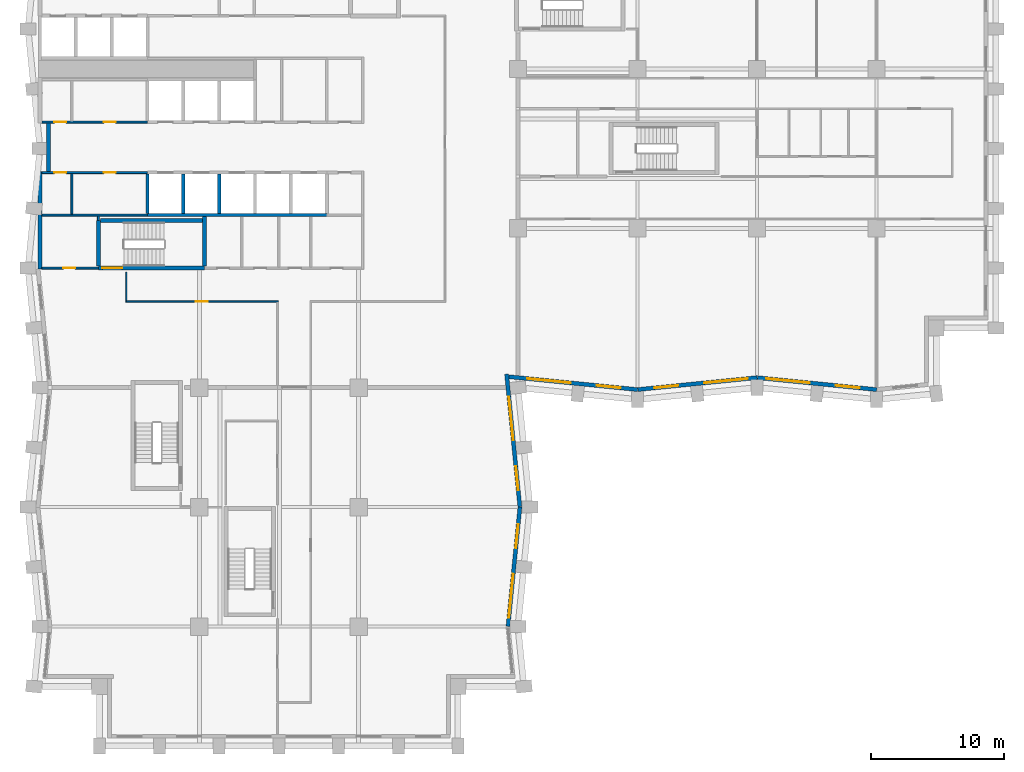
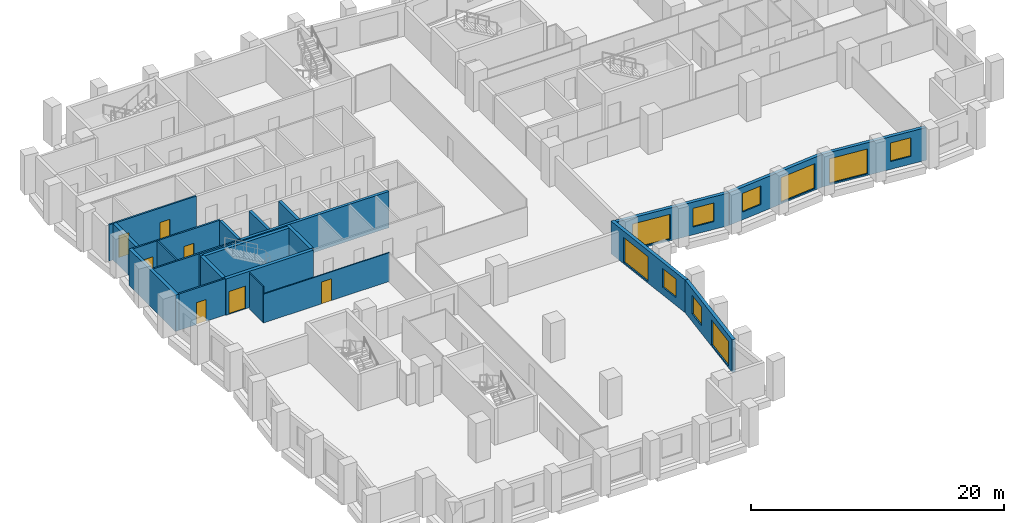
# One storey, part 4 of 11: 23 walls, 10 windows, 7 doors, 17 openings.
"""IFC4 building model written with IfcOpenShell, lengths in metres."""

from ifc_helpers import new_model, si_unit, direction, frame, frame_2d, origin, place, context, subcontext, project, spatial, rectangle, extrude, material, layer, layer_set, type_object, element, fill, save


model = new_model("IFC4")

# Units and contexts
model_context = context("Model", 3, precision=1e-05, world=origin(), true_north=direction((0.0, 1.0)))
body_context = subcontext(model_context, "Body", "Model", "MODEL_VIEW")
ifc_project = project(units=[si_unit("LENGTHUNIT", "METRE"), si_unit("AREAUNIT", "SQUARE_METRE"), si_unit("VOLUMEUNIT", "CUBIC_METRE"), si_unit("PLANEANGLEUNIT", "RADIAN"), si_unit("MASSUNIT", "GRAM", prefix="KILO")], contexts=[model_context])

# Site, building, storey
site_placement = place(None, origin())
site = spatial("IfcSite", under=ifc_project, at=site_placement, CompositionType="ELEMENT")
building_placement = place(site_placement, origin())
building = spatial("IfcBuilding", under=site, at=building_placement, Name="Brondeck Convention Tower", CompositionType="ELEMENT")
storey_placement = place(building_placement, frame((0.0, 0.0, 115.10009765625)))
storey = spatial("IfcBuildingStorey", under=building, at=storey_placement, Name="L27", CompositionType="ELEMENT", Elevation=115.10009765625)

# Walls
ifc_material_1 = material(Name="Concrete C70/85", Category="concrete")
ifc_layer_1 = layer(ifc_material_1, 0.300048828125)
ifc_layer_set_1 = layer_set([ifc_layer_1], Name="Core outer wall 300 Concrete C70/85")
wall_type_1 = type_object("IfcWallType", Name="Core outer wall 300 Concrete C70/85", PredefinedType="SHEAR", material=ifc_layer_set_1)
wall_1_placement = place(storey_placement, frame((0.0, 35.925048828125, 0.0), z_axis=(0.0, 0.0, 1.0), x_axis=(0.0, 1.0, 0.0)))
element("IfcWall", 1, at=wall_1_placement, inside=storey, type_object=wall_type_1, Name="L27 core wall", PredefinedType="SHEAR", context=body_context, shape_type="SweptSolid", body=[
    extrude(rectangle(XDim=7.349853515625, YDim=0.300048828125, at=frame_2d((3.6748046875, 0.0))), origin(), (0.0, 0.0, 1.0), 3.5),
])
wall_2_placement = place(storey_placement, frame((0.64990234375, 43.27490234375, 0.0), z_axis=(0.0, 0.0, 1.0), x_axis=(0.0, 1.0, 0.0)))
element("IfcWall", 2, at=wall_2_placement, inside=storey, type_object=wall_type_1, Name="L27 core wall", PredefinedType="SHEAR", context=body_context, shape_type="SweptSolid", body=[
    extrude(rectangle(XDim=3.650146484375, YDim=0.300048828125, at=frame_2d((1.8251953125, 0.0))), origin(), (0.0, 0.0, 1.0), 3.5),
])

# Wall, opening, door
ifc_material_2 = material(Name="Fire-rated gypsum board partition")
ifc_layer_2 = layer(ifc_material_2, 0.14990234375)
ifc_layer_set_2 = layer_set([ifc_layer_2], Name="Core partition 150 EI 60")
wall_type_2 = type_object("IfcWallType", Name="Core partition 150 EI 60", PredefinedType="PARTITIONING", material=ifc_layer_set_2)
wall_3_placement = place(storey_placement, frame((0.14990234375, 36.0, 0.0), z_axis=(0.0, 0.0, 1.0), x_axis=(1.0, 0.0, 0.0)))
wall_3 = element("IfcWall", 3, at=wall_3_placement, inside=storey, type_object=wall_type_2, Name="L27 core wall", PredefinedType="PARTITIONING", context=body_context, shape_type="SweptSolid", body=[
    extrude(rectangle(XDim=4.25, YDim=0.14990234375, at=frame_2d((2.125, 0.0))), origin(), (0.0, 0.0, 1.0), 3.5),
])
opening_1_placement = place(wall_3_placement, frame((1.60009765625, 0.0, 0.0)))
opening_1 = element("IfcOpeningElement", 4, at=opening_1_placement, cuts=wall_3, Name="Opening C16-07", PredefinedType="OPENING", context=body_context, shape_type="SweptSolid", body=[
    extrude(rectangle(XDim=0.89990234375, YDim=2.10009765625, at=frame_2d((0.449951171875, 1.050048828125))), frame((0.0, 0.0849609375, 0.0), z_axis=(0.0, -1.0, 0.0), x_axis=(1.0, 0.0, 0.0)), (0.0, 0.0, 1.0), 0.169921875),
])
ifc_material_3 = material(Name="Steel fire door", Category="steel")
door_type_1 = type_object("IfcDoorType", Name="Room door 900x2100 EI 60", OperationType="NOTDEFINED", PredefinedType="DOOR", material=ifc_material_3)
door_1_placement = place(opening_1_placement, origin())
door_1 = element("IfcDoor", 5, at=door_1_placement, inside=storey, type_object=door_type_1, Name="L27 Room door FRW-1", OperationType="SINGLE_SWING_LEFT", OverallHeight=2.10009765625, OverallWidth=0.89990234375, PredefinedType="DOOR", context=body_context, shape_type="SweptSolid", body=[
    extrude(rectangle(XDim=0.89990234375, YDim=2.10009765625, at=frame_2d((0.449951171875, 1.050048828125))), frame((0.0, 0.02490234375, 0.0), z_axis=(0.0, -1.0, 0.0), x_axis=(1.0, 0.0, 0.0)), (0.0, 0.0, 1.0), 0.050048828125),
])
fill(opening_1, door_1)

# Wall
wall_4_placement = place(storey_placement, frame((0.14990234375, 40.0, 0.0), z_axis=(0.0, 0.0, 1.0), x_axis=(1.0, 0.0, 0.0)))
element("IfcWall", 6, at=wall_4_placement, inside=storey, type_object=wall_type_2, Name="L27 core wall", PredefinedType="PARTITIONING", context=body_context, shape_type="SweptSolid", body=[
    extrude(rectangle(XDim=7.9501953125, YDim=0.14990234375, at=frame_2d((3.97509765625, 0.0))), origin(), (0.0, 0.0, 1.0), 3.5),
])

# Wall, openings, doors
wall_5_placement = place(storey_placement, frame((0.14990234375, 43.199951171875, 0.0), z_axis=(0.0, 0.0, 1.0), x_axis=(1.0, 0.0, 0.0)))
wall_5 = element("IfcWall", 7, at=wall_5_placement, inside=storey, type_object=wall_type_2, Name="L27 core wall", PredefinedType="PARTITIONING", context=body_context, shape_type="SweptSolid", body=[
    extrude(rectangle(XDim=7.9501953125, YDim=0.14990234375, at=frame_2d((3.97509765625, 0.0))), origin(), (0.0, 0.0, 1.0), 3.5),
])
opening_2_placement = place(wall_5_placement, frame((0.925048828125, 0.0, 0.0)))
opening_2 = element("IfcOpeningElement", 8, at=opening_2_placement, cuts=wall_5, Name="Opening C16-12", PredefinedType="OPENING", context=body_context, shape_type="SweptSolid", body=[
    extrude(rectangle(XDim=0.89990234375, YDim=2.10009765625, at=frame_2d((0.449951171875, 1.050048828125))), frame((0.0, 0.0849609375, 0.0), z_axis=(0.0, -1.0, 0.0), x_axis=(1.0, 0.0, 0.0)), (0.0, 0.0, 1.0), 0.169921875),
])
opening_3_placement = place(wall_5_placement, frame((4.64990234375, 0.0, 0.0)))
opening_3 = element("IfcOpeningElement", 9, at=opening_3_placement, cuts=wall_5, Name="Opening C16-13", PredefinedType="OPENING", context=body_context, shape_type="SweptSolid", body=[
    extrude(rectangle(XDim=0.89990234375, YDim=2.10009765625, at=frame_2d((0.449951171875, 1.050048828125))), frame((0.0, 0.0849609375, 0.0), z_axis=(0.0, -1.0, 0.0), x_axis=(1.0, 0.0, 0.0)), (0.0, 0.0, 1.0), 0.169921875),
])
door_2_placement = place(opening_2_placement, origin())
door_2 = element("IfcDoor", 10, at=door_2_placement, inside=storey, type_object=door_type_1, Name="L27 Room door FZ-S-0-1", OperationType="SINGLE_SWING_LEFT", OverallHeight=2.10009765625, OverallWidth=0.89990234375, PredefinedType="DOOR", context=body_context, shape_type="SweptSolid", body=[
    extrude(rectangle(XDim=0.89990234375, YDim=2.10009765625, at=frame_2d((0.449951171875, 1.050048828125))), frame((0.0, 0.02490234375, 0.0), z_axis=(0.0, -1.0, 0.0), x_axis=(1.0, 0.0, 0.0)), (0.0, 0.0, 1.0), 0.050048828125),
])
fill(opening_2, door_2)
door_3_placement = place(opening_3_placement, origin())
door_3 = element("IfcDoor", 11, at=door_3_placement, inside=storey, type_object=door_type_1, Name="L27 Room door FZ-S-0-2", OperationType="SINGLE_SWING_RIGHT", OverallHeight=2.10009765625, OverallWidth=0.89990234375, PredefinedType="DOOR", context=body_context, shape_type="SweptSolid", body=[
    extrude(rectangle(XDim=0.89990234375, YDim=2.10009765625, at=frame_2d((0.449951171875, 1.050048828125))), frame((0.0, 0.02490234375, 0.0), z_axis=(0.0, -1.0, 0.0), x_axis=(1.0, 0.0, 0.0)), (0.0, 0.0, 1.0), 0.050048828125),
])
fill(opening_3, door_3)

wall_6_placement = place(storey_placement, frame((0.14990234375, 47.0, 0.0), z_axis=(0.0, 0.0, 1.0), x_axis=(1.0, 0.0, 0.0)))
wall_6 = element("IfcWall", 12, at=wall_6_placement, inside=storey, type_object=wall_type_2, Name="L27 core wall", PredefinedType="PARTITIONING", context=body_context, shape_type="SweptSolid", body=[
    extrude(rectangle(XDim=7.9501953125, YDim=0.14990234375, at=frame_2d((3.97509765625, 0.0))), origin(), (0.0, 0.0, 1.0), 3.5),
])
opening_4_placement = place(wall_6_placement, frame((0.925048828125, 0.0, 0.0)))
opening_4 = element("IfcOpeningElement", 13, at=opening_4_placement, cuts=wall_6, Name="Opening C16-08", PredefinedType="OPENING", context=body_context, shape_type="SweptSolid", body=[
    extrude(rectangle(XDim=0.89990234375, YDim=2.10009765625, at=frame_2d((0.449951171875, 1.050048828125))), frame((0.0, 0.0849609375, 0.0), z_axis=(0.0, -1.0, 0.0), x_axis=(1.0, 0.0, 0.0)), (0.0, 0.0, 1.0), 0.169921875),
])
opening_5_placement = place(wall_6_placement, frame((4.64990234375, 0.0, 0.0)))
opening_5 = element("IfcOpeningElement", 14, at=opening_5_placement, cuts=wall_6, Name="Opening C16-09", PredefinedType="OPENING", context=body_context, shape_type="SweptSolid", body=[
    extrude(rectangle(XDim=0.89990234375, YDim=2.10009765625, at=frame_2d((0.449951171875, 1.050048828125))), frame((0.0, 0.0849609375, 0.0), z_axis=(0.0, -1.0, 0.0), x_axis=(1.0, 0.0, 0.0)), (0.0, 0.0, 1.0), 0.169921875),
])
door_4_placement = place(opening_4_placement, origin())
door_4 = element("IfcDoor", 15, at=door_4_placement, inside=storey, type_object=door_type_1, Name="L27 Room door FZ-N-0-1", OperationType="SINGLE_SWING_RIGHT", OverallHeight=2.10009765625, OverallWidth=0.89990234375, PredefinedType="DOOR", context=body_context, shape_type="SweptSolid", body=[
    extrude(rectangle(XDim=0.89990234375, YDim=2.10009765625, at=frame_2d((0.449951171875, 1.050048828125))), frame((0.0, 0.02490234375, 0.0), z_axis=(0.0, -1.0, 0.0), x_axis=(1.0, 0.0, 0.0)), (0.0, 0.0, 1.0), 0.050048828125),
])
fill(opening_4, door_4)
door_5_placement = place(opening_5_placement, origin())
door_5 = element("IfcDoor", 16, at=door_5_placement, inside=storey, type_object=door_type_1, Name="L27 Room door FZ-N-0-2", OperationType="SINGLE_SWING_LEFT", OverallHeight=2.10009765625, OverallWidth=0.89990234375, PredefinedType="DOOR", context=body_context, shape_type="SweptSolid", body=[
    extrude(rectangle(XDim=0.89990234375, YDim=2.10009765625, at=frame_2d((0.449951171875, 1.050048828125))), frame((0.0, 0.02490234375, 0.0), z_axis=(0.0, -1.0, 0.0), x_axis=(1.0, 0.0, 0.0)), (0.0, 0.0, 1.0), 0.050048828125),
])
fill(opening_5, door_5)

# Walls
wall_7_placement = place(storey_placement, frame((2.39990234375, 40.074951171875, 0.0), z_axis=(0.0, 0.0, 1.0), x_axis=(0.0, 1.0, 0.0)))
element("IfcWall", 17, at=wall_7_placement, inside=storey, type_object=wall_type_2, Name="L27 core wall", PredefinedType="PARTITIONING", context=body_context, shape_type="SweptSolid", body=[
    extrude(rectangle(XDim=3.050048828125, YDim=0.14990234375, at=frame_2d((1.52490234375, 0.0))), origin(), (0.0, 0.0, 1.0), 3.5),
])
wall_8_placement = place(storey_placement, frame((4.39990234375, 39.60009765625, 0.0), z_axis=(0.0, 0.0, 1.0), x_axis=(0.0, 1.0, 0.0)))
element("IfcWall", 18, at=wall_8_placement, inside=storey, type_object=wall_type_2, Name="L27 core wall", PredefinedType="PARTITIONING", context=body_context, shape_type="SweptSolid", body=[
    extrude(rectangle(XDim=0.324951171875, YDim=0.14990234375, at=frame_2d((0.16259765625, 0.0))), origin(), (0.0, 0.0, 1.0), 3.5),
])

# Wall, openings, windows
ifc_material_4 = material(Name="Precast concrete C50/60 bronze finish", Category="concrete")
ifc_layer_3 = layer(ifc_material_4, 0.070068359375, Name="Bronze precast facing")
ifc_material_5 = material(Name="Mineral wool")
ifc_layer_4 = layer(ifc_material_5, 0.159912109375, Name="Insulation")
ifc_material_6 = material(Name="Concrete C35/45", Category="concrete")
ifc_layer_5 = layer(ifc_material_6, 0.070068359375, Name="Backing")
ifc_layer_set_3 = layer_set([ifc_layer_3, ifc_layer_4, ifc_layer_5], Name="External infill wall, precast concrete C50/60 bronze facing")
wall_type_3 = type_object("IfcWallType", Name="External infill wall, precast concrete C50/60 bronze facing", PredefinedType="SOLIDWALL", material=ifc_layer_set_3)
wall_9_placement = place(storey_placement, frame((36.147705078125, 18.014892578125, 0.0), z_axis=(0.0, 0.0, 1.0), x_axis=(-0.099495688264, -0.995037993253, 0.0)))
wall_9 = element("IfcWall", 19, at=wall_9_placement, inside=storey, type_object=wall_type_3, Name="ENV-EW-L27-P0-B-E-03", PredefinedType="SOLIDWALL", context=body_context, shape_type="SweptSolid", body=[
    extrude(rectangle(XDim=9.030029296875, YDim=0.300048828125, at=frame_2d((4.51513671875, 0.0))), origin(), (0.0, 0.0, 1.0), 3.14990234375),
])
opening_6_placement = place(wall_9_placement, frame((1.30126953125, 0.0, 0.75)))
opening_6 = element("IfcOpeningElement", 20, at=opening_6_placement, cuts=wall_9, Name="Opening W10", PredefinedType="OPENING", context=body_context, shape_type="SweptSolid", body=[
    extrude(rectangle(XDim=1.800048828125, YDim=1.800048828125, at=frame_2d((0.89990234375, 0.89990234375))), frame((0.0, 0.159912109375, 0.0), z_axis=(0.0, -1.0, 0.0), x_axis=(1.0, 0.0, 0.0)), (0.0, 0.0, 1.0), 0.320068359375),
])
opening_7_placement = place(wall_9_placement, frame((5.073486328125, 0.0, 0.14990234375)))
opening_7 = element("IfcOpeningElement", 21, at=opening_7_placement, cuts=wall_9, Name="Opening W9", PredefinedType="OPENING", context=body_context, shape_type="SweptSolid", body=[
    extrude(rectangle(XDim=3.300048828125, YDim=2.39990234375, at=frame_2d((1.64990234375, 1.199951171875))), frame((0.0, 0.159912109375, 0.0), z_axis=(0.0, -1.0, 0.0), x_axis=(1.0, 0.0, 0.0)), (0.0, 0.0, 1.0), 0.320068359375),
])
ifc_material_7 = material(Name="Bronze tinted double glazing", Category="glass")
window_type_1 = type_object("IfcWindowType", Name="Glazed flute window, bronze tinted", PartitioningType="SINGLE_PANEL", PredefinedType="WINDOW", material=ifc_material_7)
window_1_placement = place(opening_7_placement, origin())
window_1 = element("IfcWindow", 22, at=window_1_placement, inside=storey, type_object=window_type_1, Name="ENV-WN-L27-P0-B-E-03", OverallHeight=2.39990234375, OverallWidth=3.300048828125, PartitioningType="SINGLE_PANEL", PredefinedType="WINDOW", context=body_context, shape_type="SweptSolid", body=[
    extrude(rectangle(XDim=3.300048828125, YDim=2.39990234375, at=frame_2d((1.64990234375, 1.199951171875))), frame((0.0, 0.030029296875, 0.0), z_axis=(0.0, -1.0, 0.0), x_axis=(1.0, 0.0, 0.0)), (0.0, 0.0, 1.0), 0.06005859375),
])
fill(opening_7, window_1)
window_type_2 = type_object("IfcWindowType", Name="Punched window, bronze tinted", PartitioningType="SINGLE_PANEL", PredefinedType="WINDOW", material=ifc_material_7)
window_2_placement = place(opening_6_placement, origin())
window_2 = element("IfcWindow", 23, at=window_2_placement, inside=storey, type_object=window_type_2, Name="ENV-WN-L27-P0-B-E-02", OverallHeight=1.800048828125, OverallWidth=1.800048828125, PartitioningType="SINGLE_PANEL", PredefinedType="WINDOW", context=body_context, shape_type="SweptSolid", body=[
    extrude(rectangle(XDim=1.800048828125, YDim=1.800048828125, at=frame_2d((0.89990234375, 0.89990234375))), frame((0.0, 0.030029296875, 0.0), z_axis=(0.0, -1.0, 0.0), x_axis=(1.0, 0.0, 0.0)), (0.0, 0.0, 1.0), 0.06005859375),
])
fill(opening_6, window_2)

wall_10_placement = place(storey_placement, frame((35.144287109375, 28.02001953125, 0.0), z_axis=(0.0, 0.0, 1.0), x_axis=(0.099503719021, -0.99503719021, 0.0)))
wall_10 = element("IfcWall", 24, at=wall_10_placement, inside=storey, type_object=wall_type_3, Name="ENV-EW-L27-P0-B-E-01", PredefinedType="SOLIDWALL", context=body_context, shape_type="SweptSolid", body=[
    extrude(rectangle(XDim=10.0400390625, YDim=0.300048828125, at=frame_2d((5.02001953125, 0.0))), origin(), (0.0, 0.0, 1.0), 3.14990234375),
])
opening_8_placement = place(wall_10_placement, frame((1.711181640625, 0.0, 0.14990234375)))
opening_8 = element("IfcOpeningElement", 25, at=opening_8_placement, cuts=wall_10, Name="Opening W9", PredefinedType="OPENING", context=body_context, shape_type="SweptSolid", body=[
    extrude(rectangle(XDim=3.300048828125, YDim=2.39990234375, at=frame_2d((1.64990234375, 1.199951171875))), frame((0.0, 0.159912109375, 0.0), z_axis=(0.0, -1.0, 0.0), x_axis=(1.0, 0.0, 0.0)), (0.0, 0.0, 1.0), 0.320068359375),
])
opening_9_placement = place(wall_10_placement, frame((6.983642578125, 0.0, 0.75)))
opening_9 = element("IfcOpeningElement", 26, at=opening_9_placement, cuts=wall_10, Name="Opening W10", PredefinedType="OPENING", context=body_context, shape_type="SweptSolid", body=[
    extrude(rectangle(XDim=1.800048828125, YDim=1.800048828125, at=frame_2d((0.89990234375, 0.89990234375))), frame((0.0, 0.159912109375, 0.0), z_axis=(0.0, -1.0, 0.0), x_axis=(1.0, 0.0, 0.0)), (0.0, 0.0, 1.0), 0.320068359375),
])
window_3_placement = place(opening_8_placement, origin())
window_3 = element("IfcWindow", 27, at=window_3_placement, inside=storey, type_object=window_type_1, Name="ENV-WN-L27-P0-B-E-00", OverallHeight=2.39990234375, OverallWidth=3.300048828125, PartitioningType="SINGLE_PANEL", PredefinedType="WINDOW", context=body_context, shape_type="SweptSolid", body=[
    extrude(rectangle(XDim=3.300048828125, YDim=2.39990234375, at=frame_2d((1.64990234375, 1.199951171875))), frame((0.0, 0.030029296875, 0.0), z_axis=(0.0, -1.0, 0.0), x_axis=(1.0, 0.0, 0.0)), (0.0, 0.0, 1.0), 0.06005859375),
])
fill(opening_8, window_3)
window_4_placement = place(opening_9_placement, origin())
window_4 = element("IfcWindow", 28, at=window_4_placement, inside=storey, type_object=window_type_2, Name="ENV-WN-L27-P0-B-E-01", OverallHeight=1.800048828125, OverallWidth=1.800048828125, PartitioningType="SINGLE_PANEL", PredefinedType="WINDOW", context=body_context, shape_type="SweptSolid", body=[
    extrude(rectangle(XDim=1.800048828125, YDim=1.800048828125, at=frame_2d((0.89990234375, 0.89990234375))), frame((0.0, 0.030029296875, 0.0), z_axis=(0.0, -1.0, 0.0), x_axis=(1.0, 0.0, 0.0)), (0.0, 0.0, 1.0), 0.06005859375),
])
fill(opening_9, window_4)

wall_11_placement = place(storey_placement, frame((45.014892578125, 26.852294921875, 0.0), z_axis=(0.0, 0.0, 1.0), x_axis=(-0.995037438546, 0.099501235631, 0.0)))
wall_11 = element("IfcWall", 29, at=wall_11_placement, inside=storey, type_object=wall_type_3, Name="ENV-EW-L27-P0-A-S-00", PredefinedType="SOLIDWALL", context=body_context, shape_type="SweptSolid", body=[
    extrude(rectangle(XDim=9.733642578125, YDim=0.300048828125, at=frame_2d((4.86669921875, 0.0))), origin(), (0.0, 0.0, 1.0), 3.14990234375),
])
opening_10_placement = place(wall_11_placement, frame((1.30126953125, 0.0, 0.75)))
opening_10 = element("IfcOpeningElement", 30, at=opening_10_placement, cuts=wall_11, Name="Opening W10", PredefinedType="OPENING", context=body_context, shape_type="SweptSolid", body=[
    extrude(rectangle(XDim=1.800048828125, YDim=1.800048828125, at=frame_2d((0.89990234375, 0.89990234375))), frame((0.0, 0.159912109375, 0.0), z_axis=(0.0, -1.0, 0.0), x_axis=(1.0, 0.0, 0.0)), (0.0, 0.0, 1.0), 0.320068359375),
])
opening_11_placement = place(wall_11_placement, frame((5.073486328125, 0.0, 0.14990234375)))
opening_11 = element("IfcOpeningElement", 31, at=opening_11_placement, cuts=wall_11, Name="Opening W9", PredefinedType="OPENING", context=body_context, shape_type="SweptSolid", body=[
    extrude(rectangle(XDim=3.300048828125, YDim=2.39990234375, at=frame_2d((1.64990234375, 1.199951171875))), frame((0.0, 0.159912109375, 0.0), z_axis=(0.0, -1.0, 0.0), x_axis=(1.0, 0.0, 0.0)), (0.0, 0.0, 1.0), 0.320068359375),
])
window_5_placement = place(opening_11_placement, origin())
window_5 = element("IfcWindow", 32, at=window_5_placement, inside=storey, type_object=window_type_1, Name="ENV-WN-L27-P0-A-S-00", OverallHeight=2.39990234375, OverallWidth=3.300048828125, PartitioningType="SINGLE_PANEL", PredefinedType="WINDOW", context=body_context, shape_type="SweptSolid", body=[
    extrude(rectangle(XDim=3.300048828125, YDim=2.39990234375, at=frame_2d((1.64990234375, 1.199951171875))), frame((0.0, 0.030029296875, 0.0), z_axis=(0.0, -1.0, 0.0), x_axis=(1.0, 0.0, 0.0)), (0.0, 0.0, 1.0), 0.06005859375),
])
fill(opening_11, window_5)
window_6_placement = place(opening_10_placement, origin())
window_6 = element("IfcWindow", 33, at=window_6_placement, inside=storey, type_object=window_type_2, Name="ENV-WN-L27-P0-A-S-01", OverallHeight=1.800048828125, OverallWidth=1.800048828125, PartitioningType="SINGLE_PANEL", PredefinedType="WINDOW", context=body_context, shape_type="SweptSolid", body=[
    extrude(rectangle(XDim=1.800048828125, YDim=1.800048828125, at=frame_2d((0.89990234375, 0.89990234375))), frame((0.0, 0.030029296875, 0.0), z_axis=(0.0, -1.0, 0.0), x_axis=(1.0, 0.0, 0.0)), (0.0, 0.0, 1.0), 0.06005859375),
])
fill(opening_10, window_6)

wall_12_placement = place(storey_placement, frame((54.014892578125, 27.755126953125, 0.0), z_axis=(0.0, 0.0, 1.0), x_axis=(-0.995037993253, -0.099495688264, 0.0)))
wall_12 = element("IfcWall", 34, at=wall_12_placement, inside=storey, type_object=wall_type_3, Name="ENV-EW-L27-P0-A-S-02", PredefinedType="SOLIDWALL", context=body_context, shape_type="SweptSolid", body=[
    extrude(rectangle(XDim=9.030029296875, YDim=0.300048828125, at=frame_2d((4.51513671875, 0.0))), origin(), (0.0, 0.0, 1.0), 3.14990234375),
])
opening_12_placement = place(wall_12_placement, frame((0.701171875, 0.0, 0.14990234375)))
opening_12 = element("IfcOpeningElement", 35, at=opening_12_placement, cuts=wall_12, Name="Opening W9", PredefinedType="OPENING", context=body_context, shape_type="SweptSolid", body=[
    extrude(rectangle(XDim=3.300048828125, YDim=2.39990234375, at=frame_2d((1.64990234375, 1.199951171875))), frame((0.0, 0.159912109375, 0.0), z_axis=(0.0, -1.0, 0.0), x_axis=(1.0, 0.0, 0.0)), (0.0, 0.0, 1.0), 0.320068359375),
])
opening_13_placement = place(wall_12_placement, frame((5.9736328125, 0.0, 0.75)))
opening_13 = element("IfcOpeningElement", 36, at=opening_13_placement, cuts=wall_12, Name="Opening W10", PredefinedType="OPENING", context=body_context, shape_type="SweptSolid", body=[
    extrude(rectangle(XDim=1.800048828125, YDim=1.800048828125, at=frame_2d((0.89990234375, 0.89990234375))), frame((0.0, 0.159912109375, 0.0), z_axis=(0.0, -1.0, 0.0), x_axis=(1.0, 0.0, 0.0)), (0.0, 0.0, 1.0), 0.320068359375),
])
window_7_placement = place(opening_12_placement, origin())
window_7 = element("IfcWindow", 37, at=window_7_placement, inside=storey, type_object=window_type_1, Name="ENV-WN-L27-P0-A-S-03", OverallHeight=2.39990234375, OverallWidth=3.300048828125, PartitioningType="SINGLE_PANEL", PredefinedType="WINDOW", context=body_context, shape_type="SweptSolid", body=[
    extrude(rectangle(XDim=3.300048828125, YDim=2.39990234375, at=frame_2d((1.64990234375, 1.199951171875))), frame((0.0, 0.030029296875, 0.0), z_axis=(0.0, -1.0, 0.0), x_axis=(1.0, 0.0, 0.0)), (0.0, 0.0, 1.0), 0.06005859375),
])
fill(opening_12, window_7)
window_8_placement = place(opening_13_placement, origin())
window_8 = element("IfcWindow", 38, at=window_8_placement, inside=storey, type_object=window_type_2, Name="ENV-WN-L27-P0-A-S-02", OverallHeight=1.800048828125, OverallWidth=1.800048828125, PartitioningType="SINGLE_PANEL", PredefinedType="WINDOW", context=body_context, shape_type="SweptSolid", body=[
    extrude(rectangle(XDim=1.800048828125, YDim=1.800048828125, at=frame_2d((0.89990234375, 0.89990234375))), frame((0.0, 0.030029296875, 0.0), z_axis=(0.0, -1.0, 0.0), x_axis=(1.0, 0.0, 0.0)), (0.0, 0.0, 1.0), 0.06005859375),
])
fill(opening_13, window_8)

wall_13_placement = place(storey_placement, frame((63.014892578125, 26.852294921875, 0.0), z_axis=(0.0, 0.0, 1.0), x_axis=(-0.995037993253, 0.099495688264, 0.0)))
wall_13 = element("IfcWall", 39, at=wall_13_placement, inside=storey, type_object=wall_type_3, Name="ENV-EW-L27-P0-A-S-04", PredefinedType="SOLIDWALL", context=body_context, shape_type="SweptSolid", body=[
    extrude(rectangle(XDim=9.030029296875, YDim=0.300048828125, at=frame_2d((4.51513671875, 0.0))), origin(), (0.0, 0.0, 1.0), 3.14990234375),
])
opening_14_placement = place(wall_13_placement, frame((1.30126953125, 0.0, 0.75)))
opening_14 = element("IfcOpeningElement", 40, at=opening_14_placement, cuts=wall_13, Name="Opening W10", PredefinedType="OPENING", context=body_context, shape_type="SweptSolid", body=[
    extrude(rectangle(XDim=1.800048828125, YDim=1.800048828125, at=frame_2d((0.89990234375, 0.89990234375))), frame((0.0, 0.159912109375, 0.0), z_axis=(0.0, -1.0, 0.0), x_axis=(1.0, 0.0, 0.0)), (0.0, 0.0, 1.0), 0.320068359375),
])
opening_15_placement = place(wall_13_placement, frame((5.073486328125, 0.0, 0.14990234375)))
opening_15 = element("IfcOpeningElement", 41, at=opening_15_placement, cuts=wall_13, Name="Opening W9", PredefinedType="OPENING", context=body_context, shape_type="SweptSolid", body=[
    extrude(rectangle(XDim=3.300048828125, YDim=2.39990234375, at=frame_2d((1.64990234375, 1.199951171875))), frame((0.0, 0.159912109375, 0.0), z_axis=(0.0, -1.0, 0.0), x_axis=(1.0, 0.0, 0.0)), (0.0, 0.0, 1.0), 0.320068359375),
])
window_9_placement = place(opening_15_placement, origin())
window_9 = element("IfcWindow", 42, at=window_9_placement, inside=storey, type_object=window_type_1, Name="ENV-WN-L27-P0-A-S-04", OverallHeight=2.39990234375, OverallWidth=3.300048828125, PartitioningType="SINGLE_PANEL", PredefinedType="WINDOW", context=body_context, shape_type="SweptSolid", body=[
    extrude(rectangle(XDim=3.300048828125, YDim=2.39990234375, at=frame_2d((1.64990234375, 1.199951171875))), frame((0.0, 0.030029296875, 0.0), z_axis=(0.0, -1.0, 0.0), x_axis=(1.0, 0.0, 0.0)), (0.0, 0.0, 1.0), 0.06005859375),
])
fill(opening_15, window_9)
window_10_placement = place(opening_14_placement, origin())
window_10 = element("IfcWindow", 43, at=window_10_placement, inside=storey, type_object=window_type_2, Name="ENV-WN-L27-P0-A-S-05", OverallHeight=1.800048828125, OverallWidth=1.800048828125, PartitioningType="SINGLE_PANEL", PredefinedType="WINDOW", context=body_context, shape_type="SweptSolid", body=[
    extrude(rectangle(XDim=1.800048828125, YDim=1.800048828125, at=frame_2d((0.89990234375, 0.89990234375))), frame((0.0, 0.030029296875, 0.0), z_axis=(0.0, -1.0, 0.0), x_axis=(1.0, 0.0, 0.0)), (0.0, 0.0, 1.0), 0.06005859375),
])
fill(opening_14, window_10)

# Walls
ifc_layer_6 = layer(ifc_material_1, 0.25)
ifc_layer_set_4 = layer_set([ifc_layer_6], Name="Lift shaft wall 250 Concrete C70/85")
wall_type_4 = type_object("IfcWallType", Name="Lift shaft wall 250 Concrete C70/85", PredefinedType="SHEAR", material=ifc_layer_set_4)
wall_14_placement = place(storey_placement, frame((8.10009765625, 40.0, 0.0), z_axis=(0.0, 0.0, 1.0), x_axis=(1.0, 0.0, 0.0)))
element("IfcWall", 44, at=wall_14_placement, inside=storey, type_object=wall_type_4, Name="L27 core wall", PredefinedType="SHEAR", context=body_context, shape_type="SweptSolid", body=[
    extrude(rectangle(XDim=13.5, YDim=0.25, at=frame_2d((6.75, 0.0))), origin(), (0.0, 0.0, 1.0), 3.5),
])
for number, where, z_axis, x_axis, name in (
    (45, (8.10009765625, 40.125, 0.0), (0.0, 0.0, 1.0), (0.0, 1.0, 0.0), "L27 core wall"),
    (46, (10.800048828125, 40.125, 0.0), (0.0, 0.0, 1.0), (0.0, 1.0, 0.0), "L27 core wall"),
    (47, (13.5, 40.125, 0.0), (0.0, 0.0, 1.0), (0.0, 1.0, 0.0), "L27 core wall"),
):
    element("IfcWall", number, at=place(storey_placement, frame(where, z_axis=z_axis, x_axis=x_axis)), inside=storey, type_object=wall_type_4, Name=name, PredefinedType="SHEAR", context=body_context, shape_type="SweptSolid", body=[
        extrude(rectangle(XDim=2.949951171875, YDim=0.25, at=frame_2d((1.47509765625, 0.0))), origin(), (0.0, 0.0, 1.0), 3.5),
    ])

# Wall, opening, door
ifc_material_8 = material(Name="Gypsum board partition on steel studs", Category="steel")
ifc_layer_7 = layer(ifc_material_8, 0.10009765625)
ifc_layer_set_5 = layer_set([ifc_layer_7], Name="Room partition 100")
wall_type_5 = type_object("IfcWallType", Name="Room partition 100", PredefinedType="PARTITIONING", material=ifc_layer_set_5)
wall_15_placement = place(storey_placement, frame((17.949951171875, 33.5, 0.0), z_axis=(0.0, 0.0, 1.0), x_axis=(-1.0, 0.0, 0.0)))
wall_15 = element("IfcWall", 48, at=wall_15_placement, inside=storey, type_object=wall_type_5, Name="FLR-L27-W021", PredefinedType="PARTITIONING", context=body_context, shape_type="SweptSolid", body=[
    extrude(rectangle(XDim=11.5, YDim=0.10009765625, at=frame_2d((5.75, 0.0))), origin(), (0.0, 0.0, 1.0), 2.77978515625),
])
opening_16_placement = place(wall_15_placement, frame((5.300048828125, 0.0, 0.0)))
opening_16 = element("IfcOpeningElement", 49, at=opening_16_placement, cuts=wall_15, Name="Opening OF-C-018", PredefinedType="OPENING", context=body_context, shape_type="SweptSolid", body=[
    extrude(rectangle(XDim=0.89990234375, YDim=2.10009765625, at=frame_2d((0.449951171875, 1.050048828125))), frame((0.0, 0.06005859375, 0.0), z_axis=(0.0, -1.0, 0.0), x_axis=(1.0, 0.0, 0.0)), (0.0, 0.0, 1.0), 0.1201171875),
])
ifc_material_9 = material(Name="Solid timber door leaf", Category="wood")
door_type_2 = type_object("IfcDoorType", Name="Single door 900", OperationType="NOTDEFINED", PredefinedType="DOOR", material=ifc_material_9)
door_6_placement = place(opening_16_placement, origin())
door_6 = element("IfcDoor", 50, at=door_6_placement, inside=storey, type_object=door_type_2, Name="Door OF-C-018", OperationType="SINGLE_SWING_LEFT", OverallHeight=2.10009765625, OverallWidth=0.89990234375, PredefinedType="DOOR", context=body_context, shape_type="SweptSolid", body=[
    extrude(rectangle(XDim=0.89990234375, YDim=2.10009765625, at=frame_2d((0.449951171875, 1.050048828125))), frame((0.0, 0.02490234375, 0.0), z_axis=(0.0, -1.0, 0.0), x_axis=(1.0, 0.0, 0.0)), (0.0, 0.0, 1.0), 0.050048828125),
])
fill(opening_16, door_6)

# Wall
wall_16_placement = place(storey_placement, frame((6.5, 33.550048828125, 0.0), z_axis=(0.0, 0.0, 1.0), x_axis=(0.0, 1.0, 0.0)))
element("IfcWall", 51, at=wall_16_placement, inside=storey, type_object=wall_type_5, Name="FLR-L27-W023", PredefinedType="PARTITIONING", context=body_context, shape_type="SweptSolid", body=[
    extrude(rectangle(XDim=2.14990234375, YDim=0.10009765625, at=frame_2d((1.074951171875, 0.0))), origin(), (0.0, 0.0, 1.0), 3.47998046875),
])

# Wall, opening, door
ifc_layer_8 = layer(ifc_material_1, 0.300048828125)
ifc_layer_set_6 = layer_set([ifc_layer_8], Name="Stair enclosure wall 300 Concrete C70/85")
wall_type_6 = type_object("IfcWallType", Name="Stair enclosure wall 300 Concrete C70/85", PredefinedType="SHEAR", material=ifc_layer_set_6)
wall_17_placement = place(storey_placement, frame((4.39990234375, 36.0, 0.0), z_axis=(0.0, 0.0, 1.0), x_axis=(1.0, 0.0, 0.0)))
wall_17 = element("IfcWall", 52, at=wall_17_placement, inside=storey, type_object=wall_type_6, Name="L27 core wall", PredefinedType="SHEAR", context=body_context, shape_type="SweptSolid", body=[
    extrude(rectangle(XDim=8.0, YDim=0.300048828125, at=frame_2d((4.0, 0.0))), origin(), (0.0, 0.0, 1.0), 3.5),
])
opening_17_placement = place(wall_17_placement, frame((0.300048828125, 0.0, 0.0)))
opening_17 = element("IfcOpeningElement", 53, at=opening_17_placement, cuts=wall_17, Name="Opening C16-17", PredefinedType="OPENING", context=body_context, shape_type="SweptSolid", body=[
    extrude(rectangle(XDim=1.5, YDim=2.199951171875, at=frame_2d((0.75, 1.10009765625))), frame((0.0, 0.159912109375, 0.0), z_axis=(0.0, -1.0, 0.0), x_axis=(1.0, 0.0, 0.0)), (0.0, 0.0, 1.0), 0.320068359375),
])
door_type_3 = type_object("IfcDoorType", Name="Stair door 1500x2200 EI 90", OperationType="NOTDEFINED", PredefinedType="DOOR", material=ifc_material_3)
door_7_placement = place(opening_17_placement, origin())
door_7 = element("IfcDoor", 54, at=door_7_placement, inside=storey, type_object=door_type_3, Name="L27 Stair door ST-1", OperationType="SINGLE_SWING_RIGHT", OverallHeight=2.199951171875, OverallWidth=1.5, PredefinedType="DOOR", context=body_context, shape_type="SweptSolid", body=[
    extrude(rectangle(XDim=1.5, YDim=2.199951171875, at=frame_2d((0.75, 1.10009765625))), frame((0.0, 0.02490234375, 0.0), z_axis=(0.0, -1.0, 0.0), x_axis=(1.0, 0.0, 0.0)), (0.0, 0.0, 1.0), 0.050048828125),
])
fill(opening_17, door_7)

# Walls
wall_18_placement = place(storey_placement, frame((4.550048828125, 39.60009765625, 0.0), z_axis=(0.0, 0.0, 1.0), x_axis=(1.0, 0.0, 0.0)))
element("IfcWall", 55, at=wall_18_placement, inside=storey, type_object=wall_type_6, Name="L27 core wall", PredefinedType="SHEAR", context=body_context, shape_type="SweptSolid", body=[
    extrude(rectangle(XDim=7.699951171875, YDim=0.300048828125, at=frame_2d((3.85009765625, 0.0))), origin(), (0.0, 0.0, 1.0), 3.5),
])
wall_19_placement = place(storey_placement, frame((4.39990234375, 36.14990234375, 0.0), z_axis=(0.0, 0.0, 1.0), x_axis=(0.0, 1.0, 0.0)))
element("IfcWall", 56, at=wall_19_placement, inside=storey, type_object=wall_type_6, Name="L27 core wall", PredefinedType="SHEAR", context=body_context, shape_type="SweptSolid", body=[
    extrude(rectangle(XDim=3.4501953125, YDim=0.300048828125, at=frame_2d((1.72509765625, 0.0))), origin(), (0.0, 0.0, 1.0), 3.5),
])
wall_20_placement = place(storey_placement, frame((12.39990234375, 36.14990234375, 0.0), z_axis=(0.0, 0.0, 1.0), x_axis=(0.0, 1.0, 0.0)))
element("IfcWall", 57, at=wall_20_placement, inside=storey, type_object=wall_type_6, Name="L27 core wall", PredefinedType="SHEAR", context=body_context, shape_type="SweptSolid", body=[
    extrude(rectangle(XDim=3.72509765625, YDim=0.300048828125, at=frame_2d((1.862548828125, 0.0))), origin(), (0.0, 0.0, 1.0), 3.5),
])

save(model, "model.ifc")
